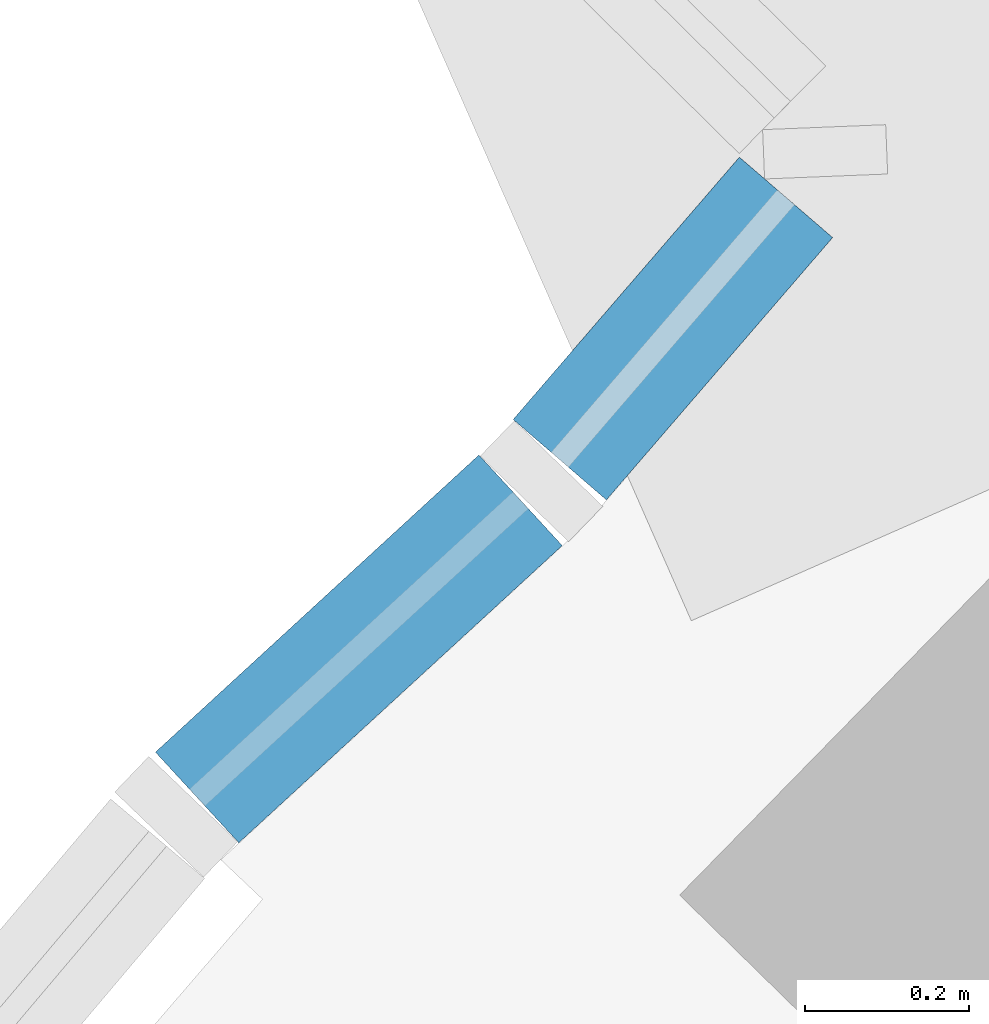
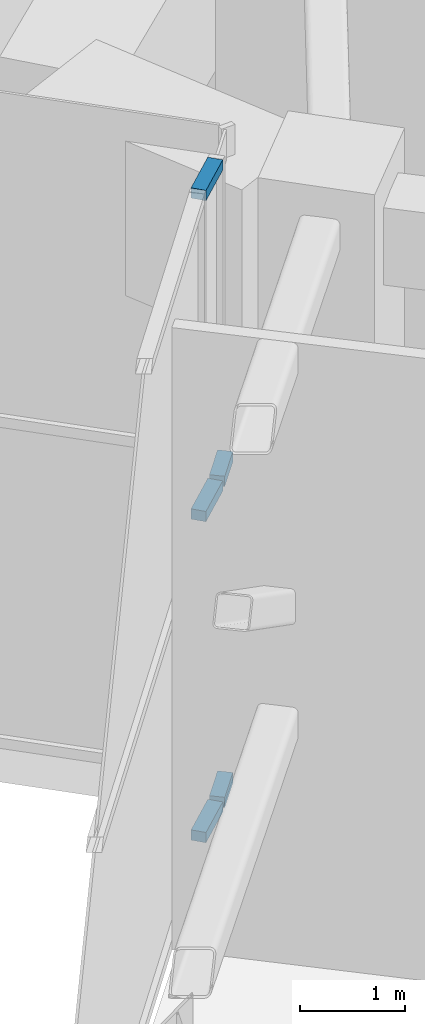
# One storey, part 13 of 30: 5 members, 2 elements without a shape of their own.
"""IFC4 building model written with IfcOpenShell, lengths in metres."""

from ifc_helpers import new_model, si_unit, direction, frame, origin, origin_2d, place, context, subcontext, project, spatial, rectangle, extrude, material, layer, layer_set, material_profile, profile_set, type_object, element, aggregate, save


model = new_model("IFC4")

# Units and contexts
model_context = context("Model", 3, precision=1e-05, world=origin(), true_north=direction((0.0, 1.0)))
body_context = subcontext(model_context, "Body", "Model", "MODEL_VIEW")
ifc_project = project(units=[si_unit("LENGTHUNIT", "METRE"), si_unit("AREAUNIT", "SQUARE_METRE"), si_unit("VOLUMEUNIT", "CUBIC_METRE"), si_unit("PLANEANGLEUNIT", "RADIAN"), si_unit("MASSUNIT", "GRAM", prefix="KILO")], contexts=[model_context])

# Site, building, storey
site_placement = place(None, origin())
site = spatial("IfcSite", under=ifc_project, at=site_placement, CompositionType="ELEMENT")
building_placement = place(site_placement, origin())
building = spatial("IfcBuilding", under=site, at=building_placement, Name="Stone Belt Terrace Tower", CompositionType="ELEMENT")
storey_placement = place(building_placement, frame((0.0, 0.0, 136.39990234375)))
storey = spatial("IfcBuildingStorey", under=building, at=storey_placement, Name="L33", CompositionType="ELEMENT", Elevation=136.39990234375)

# Curtain wall, members
ifc_material = material(Name="Aluminium 6063-T6 anodised frame", Category="aluminium")
ifc_layer = layer(ifc_material, 0.14990234375)
ifc_layer_set = layer_set([ifc_layer], Name="CW-C stick curtain wall, horn ends and notches")
curtain_wall_type = type_object("IfcCurtainWallType", Name="CW-C stick curtain wall, horn ends and notches", PredefinedType="NOTDEFINED", material=ifc_layer_set)
curtain_wall_1_placement = place(storey_placement, origin())
curtain_wall_1 = element("IfcCurtainWall", 1, at=curtain_wall_1_placement, inside=storey, type_object=curtain_wall_type, Name="CW-C end face L33", PredefinedType="NOTDEFINED")
ifc_material_profile = material_profile(ifc_material, rectangle(XDim=0.14990234375, YDim=0.1201171875, at=origin_2d()), Name="Aluminium 6063-T6 150x120")
ifc_profile_set = profile_set([ifc_material_profile], Name="Aluminium 6063-T6 anodised frame")
member_type = type_object("IfcMemberType", Name="CW-C transom 120 x 150", PredefinedType="USERDEFINED", material=ifc_profile_set)
member_1_placement = place(storey_placement, frame((-45.343994140625, 44.54736328125, 0.06005859375), z_axis=(-0.653077047348, -0.757291469797, 0.0), x_axis=(0.757291469797, -0.653077047348, 0.0)))
member_1 = element("IfcMember", 2, at=member_1_placement, type_object=member_type, Name="CW-C transom 1.1", ObjectType="TRANSOM", PredefinedType="USERDEFINED", context=body_context, shape_type="SweptSolid", body=[
    extrude(rectangle(XDim=0.14990234375, YDim=0.1201171875, at=origin_2d()), origin(), (0.0, 0.0, 1.0), 0.421630859375),
])
member_2_placement = place(storey_placement, frame((-45.343994140625, 44.54736328125, 3.800048828125), z_axis=(-0.653077047348, -0.757291469797, 0.0), x_axis=(0.757291469797, -0.653077047348, 0.0)))
member_2 = element("IfcMember", 3, at=member_2_placement, type_object=member_type, Name="CW-C transom 1.2", ObjectType="TRANSOM", PredefinedType="USERDEFINED", context=body_context, shape_type="SweptSolid", body=[
    extrude(rectangle(XDim=0.14990234375, YDim=0.1201171875, at=origin_2d()), origin(), (0.0, 0.0, 1.0), 0.421630859375),
])
aggregate(curtain_wall_1, [member_1, member_2])

curtain_wall_2_placement = place(storey_placement, origin())
curtain_wall_2 = element("IfcCurtainWall", 4, at=curtain_wall_2_placement, inside=storey, type_object=curtain_wall_type, Name="CW-C end face L33", PredefinedType="NOTDEFINED")
member_3_placement = place(storey_placement, frame((-45.6669921875, 44.1787109375, 0.06005859375), z_axis=(-0.736376697074, -0.676571770033, 0.0), x_axis=(0.676571770033, -0.736376697074, 0.0)))
member_3 = element("IfcMember", 5, at=member_3_placement, type_object=member_type, Name="CW-C transom 1.1", ObjectType="TRANSOM", PredefinedType="USERDEFINED", context=body_context, shape_type="SweptSolid", body=[
    extrude(rectangle(XDim=0.14990234375, YDim=0.1201171875, at=origin_2d()), origin(), (0.0, 0.0, 1.0), 0.53466796875),
])
member_4_placement = place(storey_placement, frame((-45.6669921875, 44.1787109375, 3.800048828125), z_axis=(-0.736376697074, -0.676571770033, 0.0), x_axis=(0.676571770033, -0.736376697074, 0.0)))
member_4 = element("IfcMember", 6, at=member_4_placement, type_object=member_type, Name="CW-C transom 1.2", ObjectType="TRANSOM", PredefinedType="USERDEFINED", context=body_context, shape_type="SweptSolid", body=[
    extrude(rectangle(XDim=0.14990234375, YDim=0.1201171875, at=origin_2d()), origin(), (0.0, 0.0, 1.0), 0.53466796875),
])
member_5_placement = place(storey_placement, frame((-45.6669921875, 44.1787109375, 7.5400390625), z_axis=(-0.736376697074, -0.676571770033, 0.0), x_axis=(0.676571770033, -0.736376697074, 0.0)))
member_5 = element("IfcMember", 7, at=member_5_placement, type_object=member_type, Name="CW-C transom 1.3", ObjectType="TRANSOM", PredefinedType="USERDEFINED", context=body_context, shape_type="SweptSolid", body=[
    extrude(rectangle(XDim=0.14990234375, YDim=0.1201171875, at=origin_2d()), origin(), (0.0, 0.0, 1.0), 0.53466796875),
])
aggregate(curtain_wall_2, [member_3, member_4, member_5])

save(model, "model.ifc")
